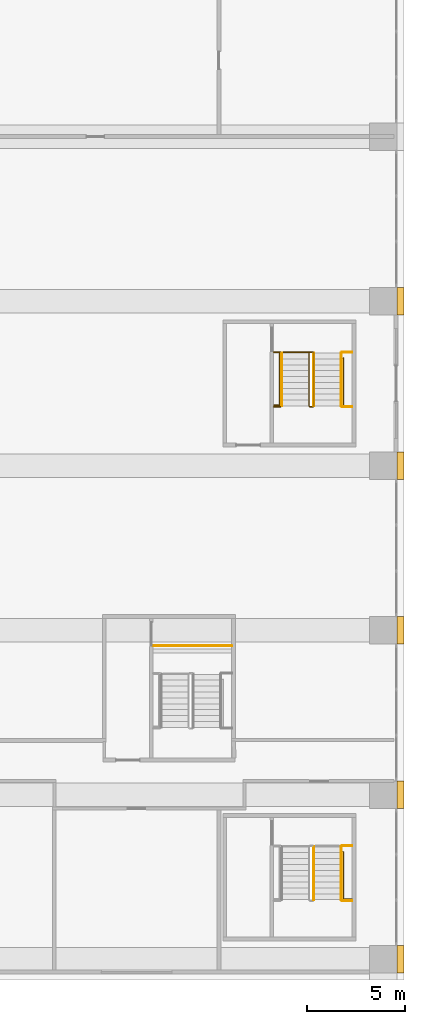
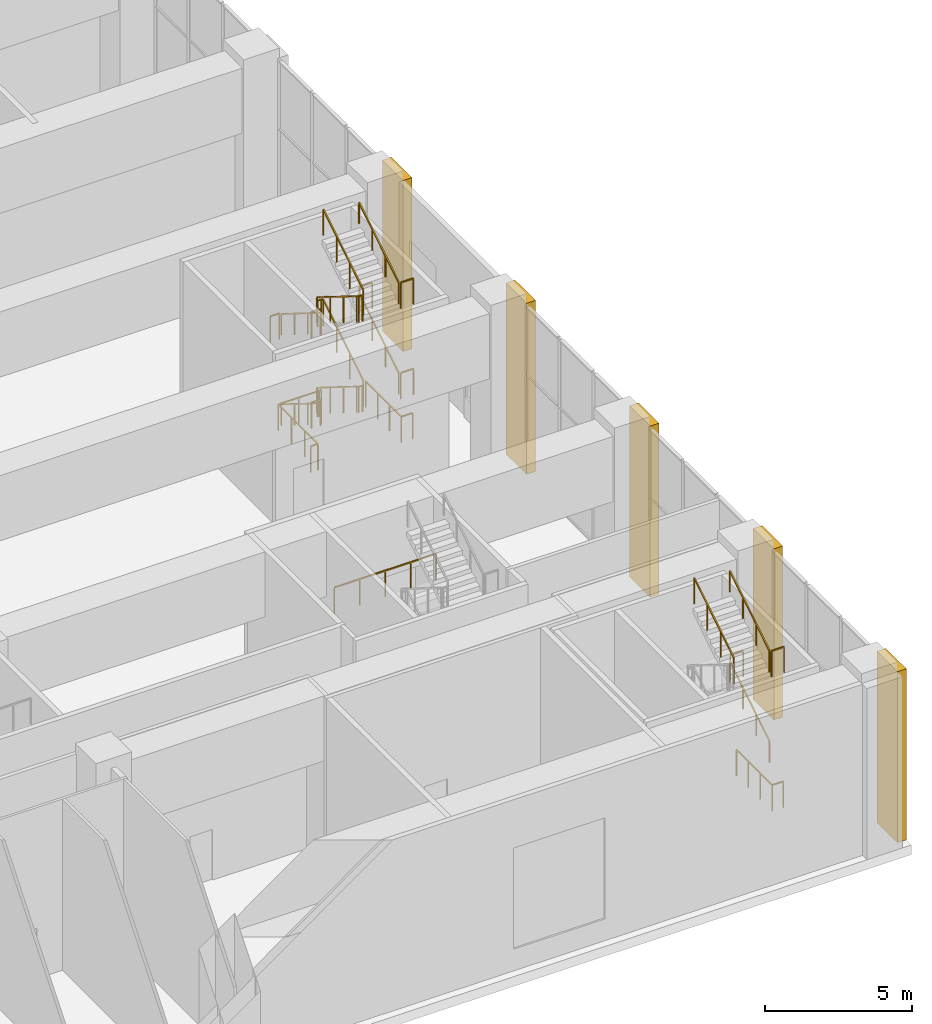
# One storey, part 27 of 29: 24 railings, 5 coverings.
"""IFC4 building model written with IfcOpenShell, lengths in metres."""

from ifc_helpers import new_model, si_unit, direction, frame, origin, origin_2d, place, context, subcontext, project, spatial, polyline, rectangle, outline, extrude, material, type_object, element, save


model = new_model("IFC4")

# Units and contexts
model_context = context("Model", 3, precision=1e-05, world=origin(), true_north=direction((0.0, 1.0)))
body_context = subcontext(model_context, "Body", "Model", "MODEL_VIEW")
ifc_project = project(units=[si_unit("LENGTHUNIT", "METRE"), si_unit("AREAUNIT", "SQUARE_METRE"), si_unit("VOLUMEUNIT", "CUBIC_METRE"), si_unit("PLANEANGLEUNIT", "RADIAN"), si_unit("MASSUNIT", "GRAM", prefix="KILO")], contexts=[model_context])

# Site, building, storey
site_placement = place(None, origin())
site = spatial("IfcSite", under=ifc_project, at=site_placement, CompositionType="ELEMENT")
building_placement = place(site_placement, origin())
building = spatial("IfcBuilding", under=site, at=building_placement, Name="Vermilion Ogive Tower", CompositionType="ELEMENT")
storey_placement = place(building_placement, frame((0.0, 0.0, 12.5)))
storey = spatial("IfcBuildingStorey", under=building, at=storey_placement, Name="L02", CompositionType="ELEMENT", Elevation=12.5)

# Railings
ifc_material_1 = material(Name="Steel S355 painted", Category="steel")
railing_type_1 = type_object("IfcRailingType", Name="Stair guard 1100", PredefinedType="GUARDRAIL", material=ifc_material_1)
railing_1_placement = place(storey_placement, frame((46.60009765625, 1.550048828125, 0.1875)))
element("IfcRailing", 1, at=railing_1_placement, inside=storey, type_object=railing_type_1, Name="L02 PEC stair guard 1", PredefinedType="GUARDRAIL", context=body_context, shape_type="SweptSolid", body=[
    extrude(rectangle(XDim=0.048095703125, YDim=0.048095703125, at=origin_2d()), frame((0.0, 0.0, 1.076171875), z_axis=(0.0, -0.847993996163, 0.530005832488), x_axis=(1.0, 0.0, 0.0)), (0.0, 0.0, 1.0), 3.183837890625),
    extrude(rectangle(XDim=0.048095703125, YDim=0.048095703125, at=origin_2d()), frame((0.0, -2.699951171875, 2.763671875), z_axis=(0.705375805398, -0.708833529934, 0.0), x_axis=(0.708833529934, 0.705375805398, 0.0)), (0.0, 0.0, 1.0), 0.070556640625),
    extrude(rectangle(XDim=0.048095703125, YDim=0.048095703125, at=origin_2d()), frame((0.0498046875, -2.75, 2.763671875), z_axis=(1.0, 0.0, 0.0), x_axis=(0.0, 1.0, 0.0)), (0.0, 0.0, 1.0), 0.150146484375),
    extrude(rectangle(XDim=0.0419921875, YDim=0.0419921875, at=origin_2d()), origin(), (0.0, 0.0, 1.0), 1.052001953125),
    extrude(rectangle(XDim=0.0419921875, YDim=0.0419921875, at=origin_2d()), frame((0.0, -0.89990234375, 0.5625)), (0.0, 0.0, 1.0), 1.052001953125),
    extrude(rectangle(XDim=0.0419921875, YDim=0.0419921875, at=origin_2d()), frame((0.0, -1.800048828125, 1.125)), (0.0, 0.0, 1.0), 1.052001953125),
    extrude(rectangle(XDim=0.0419921875, YDim=0.0419921875, at=origin_2d()), frame((0.0, -2.699951171875, 1.6875)), (0.0, 0.0, 1.0), 1.052001953125),
    extrude(rectangle(XDim=0.0419921875, YDim=0.0419921875, at=origin_2d()), frame((0.0498046875, -2.75, 1.6875)), (0.0, 0.0, 1.0), 1.052001953125),
    extrude(rectangle(XDim=0.0419921875, YDim=0.0419921875, at=origin_2d()), frame((0.199951171875, -2.75, 1.6875)), (0.0, 0.0, 1.0), 1.052001953125),
])
railing_2_placement = place(storey_placement, frame((46.85009765625, -1.14990234375, 2.0625)))
element("IfcRailing", 2, at=railing_2_placement, inside=storey, type_object=railing_type_1, Name="L02 PEC stair guard 3", PredefinedType="GUARDRAIL", context=body_context, shape_type="SweptSolid", body=[
    extrude(rectangle(XDim=0.048095703125, YDim=0.048095703125, at=origin_2d()), frame((0.0, 0.0, 1.076171875), z_axis=(0.0, 0.847993996163, 0.530005832488), x_axis=(-1.0, 0.0, 0.0)), (0.0, 0.0, 1.0), 3.183837890625),
    extrude(rectangle(XDim=0.048095703125, YDim=0.048095703125, at=origin_2d()), frame((0.0, 2.699951171875, 2.763671875), z_axis=(-0.707106781187, 0.707106781187, 0.0), x_axis=(-0.707106781187, -0.707106781187, 0.0)), (0.0, 0.0, 1.0), 0.07080078125),
    extrude(rectangle(XDim=0.048095703125, YDim=0.048095703125, at=origin_2d()), frame((-0.050048828125, 2.75, 2.763671875), z_axis=(-1.0, 0.0, 0.0), x_axis=(0.0, -1.0, 0.0)), (0.0, 0.0, 1.0), 0.150146484375),
    extrude(rectangle(XDim=0.0419921875, YDim=0.0419921875, at=origin_2d()), origin(), (0.0, 0.0, 1.0), 1.052001953125),
    extrude(rectangle(XDim=0.0419921875, YDim=0.0419921875, at=origin_2d()), frame((0.0, 0.89990234375, 0.5625)), (0.0, 0.0, 1.0), 1.052001953125),
    extrude(rectangle(XDim=0.0419921875, YDim=0.0419921875, at=origin_2d()), frame((0.0, 1.800048828125, 1.125)), (0.0, 0.0, 1.0), 1.052001953125),
    extrude(rectangle(XDim=0.0419921875, YDim=0.0419921875, at=origin_2d()), frame((0.0, 2.699951171875, 1.6875)), (0.0, 0.0, 1.0), 1.052001953125),
    extrude(rectangle(XDim=0.0419921875, YDim=0.0419921875, at=origin_2d()), frame((-0.050048828125, 2.75, 1.6875)), (0.0, 0.0, 1.0), 1.052001953125),
    extrude(rectangle(XDim=0.0419921875, YDim=0.0419921875, at=origin_2d()), frame((-0.2001953125, 2.75, 1.6875)), (0.0, 0.0, 1.0), 1.052001953125),
])
railing_3_placement = place(storey_placement, frame((46.60009765625, 1.550048828125, 3.9375)))
element("IfcRailing", 3, at=railing_3_placement, inside=storey, type_object=railing_type_1, Name="L02 PEC stair guard 5", PredefinedType="GUARDRAIL", context=body_context, shape_type="SweptSolid", body=[
    extrude(rectangle(XDim=0.048095703125, YDim=0.048095703125, at=origin_2d()), frame((0.0, 0.0, 1.076171875), z_axis=(0.0, -0.847993996163, 0.530005832488), x_axis=(1.0, 0.0, 0.0)), (0.0, 0.0, 1.0), 3.183837890625),
    extrude(rectangle(XDim=0.048095703125, YDim=0.048095703125, at=origin_2d()), frame((0.0, -2.699951171875, 2.763671875), z_axis=(0.705375805398, -0.708833529934, 0.0), x_axis=(0.708833529934, 0.705375805398, 0.0)), (0.0, 0.0, 1.0), 0.070556640625),
    extrude(rectangle(XDim=0.048095703125, YDim=0.048095703125, at=origin_2d()), frame((0.0498046875, -2.75, 2.763671875), z_axis=(1.0, 0.0, 0.0), x_axis=(0.0, 1.0, 0.0)), (0.0, 0.0, 1.0), 0.150146484375),
    extrude(rectangle(XDim=0.0419921875, YDim=0.0419921875, at=origin_2d()), origin(), (0.0, 0.0, 1.0), 1.052001953125),
    extrude(rectangle(XDim=0.0419921875, YDim=0.0419921875, at=origin_2d()), frame((0.0, -0.89990234375, 0.5625)), (0.0, 0.0, 1.0), 1.052001953125),
    extrude(rectangle(XDim=0.0419921875, YDim=0.0419921875, at=origin_2d()), frame((0.0, -1.800048828125, 1.125)), (0.0, 0.0, 1.0), 1.052001953125),
    extrude(rectangle(XDim=0.0419921875, YDim=0.0419921875, at=origin_2d()), frame((0.0, -2.699951171875, 1.6875)), (0.0, 0.0, 1.0), 1.052001953125),
    extrude(rectangle(XDim=0.0419921875, YDim=0.0419921875, at=origin_2d()), frame((0.0498046875, -2.75, 1.6875)), (0.0, 0.0, 1.0), 1.052001953125),
    extrude(rectangle(XDim=0.0419921875, YDim=0.0419921875, at=origin_2d()), frame((0.199951171875, -2.75, 1.6875)), (0.0, 0.0, 1.0), 1.052001953125),
])
railing_4_placement = place(storey_placement, frame((46.85009765625, -1.14990234375, 5.8125)))
element("IfcRailing", 4, at=railing_4_placement, inside=storey, type_object=railing_type_1, Name="L02 PEC stair guard 7", PredefinedType="GUARDRAIL", context=body_context, shape_type="SweptSolid", body=[
    extrude(rectangle(XDim=0.048095703125, YDim=0.048095703125, at=origin_2d()), frame((0.0, 0.0, 1.076171875), z_axis=(0.0, 0.847993996163, 0.530005832488), x_axis=(-1.0, 0.0, 0.0)), (0.0, 0.0, 1.0), 3.183837890625),
    extrude(rectangle(XDim=0.0419921875, YDim=0.0419921875, at=origin_2d()), origin(), (0.0, 0.0, 1.0), 1.052001953125),
    extrude(rectangle(XDim=0.0419921875, YDim=0.0419921875, at=origin_2d()), frame((0.0, 0.89990234375, 0.5625)), (0.0, 0.0, 1.0), 1.052001953125),
    extrude(rectangle(XDim=0.0419921875, YDim=0.0419921875, at=origin_2d()), frame((0.0, 1.800048828125, 1.125)), (0.0, 0.0, 1.0), 1.052001953125),
    extrude(rectangle(XDim=0.0419921875, YDim=0.0419921875, at=origin_2d()), frame((0.0, 2.699951171875, 1.6875)), (0.0, 0.0, 1.0), 1.052001953125),
])
railing_5_placement = place(storey_placement, frame((46.64990234375, 1.60009765625, 0.0)))
element("IfcRailing", 5, at=railing_5_placement, inside=storey, type_object=railing_type_1, Name="L02 PEC stair guard 8", PredefinedType="GUARDRAIL", context=body_context, shape_type="SweptSolid", body=[
    extrude(rectangle(XDim=0.048095703125, YDim=0.048095703125, at=origin_2d()), frame((0.0, 0.0, 1.076171875), z_axis=(1.0, 0.0, 0.0), x_axis=(0.0, 1.0, 0.0)), (0.0, 0.0, 1.0), 0.150146484375),
    extrude(rectangle(XDim=0.0419921875, YDim=0.0419921875, at=origin_2d()), origin(), (0.0, 0.0, 1.0), 1.052001953125),
    extrude(rectangle(XDim=0.0419921875, YDim=0.0419921875, at=origin_2d()), frame((0.150146484375, 0.0, 0.0)), (0.0, 0.0, 1.0), 1.052001953125),
])
railing_6_placement = place(storey_placement, frame((46.85009765625, -26.35009765625, 5.8125)))
element("IfcRailing", 6, at=railing_6_placement, inside=storey, type_object=railing_type_1, Name="L02 PES stair guard 7", PredefinedType="GUARDRAIL", context=body_context, shape_type="SweptSolid", body=[
    extrude(rectangle(XDim=0.048095703125, YDim=0.048095703125, at=origin_2d()), frame((0.0, 0.0, 1.076171875), z_axis=(0.0, 0.848015533692, 0.529971371508), x_axis=(-1.0, 0.0, 0.0)), (0.0, 0.0, 1.0), 3.18408203125),
    extrude(rectangle(XDim=0.0419921875, YDim=0.0419921875, at=origin_2d()), origin(), (0.0, 0.0, 1.0), 1.052001953125),
    extrude(rectangle(XDim=0.0419921875, YDim=0.0419921875, at=origin_2d()), frame((0.0, 0.900146484375, 0.5625)), (0.0, 0.0, 1.0), 1.052001953125),
    extrude(rectangle(XDim=0.0419921875, YDim=0.0419921875, at=origin_2d()), frame((0.0, 1.800048828125, 1.125)), (0.0, 0.0, 1.0), 1.052001953125),
    extrude(rectangle(XDim=0.0419921875, YDim=0.0419921875, at=origin_2d()), frame((0.0, 2.7001953125, 1.6875)), (0.0, 0.0, 1.0), 1.052001953125),
])
railing_7_placement = place(storey_placement, frame((38.650146484375, -13.39990234375, 3.75)))
element("IfcRailing", 7, at=railing_7_placement, inside=storey, type_object=railing_type_1, Name="L02 landing guard", PredefinedType="GUARDRAIL", context=body_context, shape_type="SweptSolid", body=[
    extrude(rectangle(XDim=0.048095703125, YDim=0.048095703125, at=origin_2d()), frame((0.0, 0.0, 1.076171875), z_axis=(1.0, 0.0, 0.0), x_axis=(0.0, 1.0, 0.0)), (0.0, 0.0, 1.0), 3.999755859375),
    extrude(rectangle(XDim=0.0419921875, YDim=0.0419921875, at=origin_2d()), origin(), (0.0, 0.0, 1.0), 1.052001953125),
    extrude(rectangle(XDim=0.0419921875, YDim=0.0419921875, at=origin_2d()), frame((1.0, 0.0, 0.0)), (0.0, 0.0, 1.0), 1.052001953125),
    extrude(rectangle(XDim=0.0419921875, YDim=0.0419921875, at=origin_2d()), frame((2.0, 0.0, 0.0)), (0.0, 0.0, 1.0), 1.052001953125),
    extrude(rectangle(XDim=0.0419921875, YDim=0.0419921875, at=origin_2d()), frame((2.999755859375, 0.0, 0.0)), (0.0, 0.0, 1.0), 1.052001953125),
    extrude(rectangle(XDim=0.0419921875, YDim=0.0419921875, at=origin_2d()), frame((3.999755859375, 0.0, 0.0)), (0.0, 0.0, 1.0), 1.052001953125),
])
railing_8_placement = place(storey_placement, frame((44.800048828125, -1.199951171875, 1.875)))
element("IfcRailing", 8, at=railing_8_placement, inside=storey, type_object=railing_type_1, Name="L02 landing guard", PredefinedType="GUARDRAIL", context=body_context, shape_type="SweptSolid", body=[
    extrude(rectangle(XDim=0.048095703125, YDim=0.048095703125, at=origin_2d()), frame((0.0, 0.0, 1.076171875), z_axis=(1.0, 0.0, 0.0), x_axis=(0.0, 1.0, 0.0)), (0.0, 0.0, 1.0), 0.349853515625),
    extrude(rectangle(XDim=0.0419921875, YDim=0.0419921875, at=origin_2d()), origin(), (0.0, 0.0, 1.0), 1.052001953125),
    extrude(rectangle(XDim=0.0419921875, YDim=0.0419921875, at=origin_2d()), frame((0.349853515625, 0.0, 0.0)), (0.0, 0.0, 1.0), 1.052001953125),
])
railing_9_placement = place(storey_placement, frame((48.300048828125, -1.199951171875, 1.875)))
element("IfcRailing", 9, at=railing_9_placement, inside=storey, type_object=railing_type_1, Name="L02 landing guard", PredefinedType="GUARDRAIL", context=body_context, shape_type="SweptSolid", body=[
    extrude(rectangle(XDim=0.048095703125, YDim=0.048095703125, at=origin_2d()), frame((0.0, 0.0, 1.076171875), z_axis=(1.0, 0.0, 0.0), x_axis=(0.0, 1.0, 0.0)), (0.0, 0.0, 1.0), 0.499755859375),
    extrude(rectangle(XDim=0.0419921875, YDim=0.0419921875, at=origin_2d()), origin(), (0.0, 0.0, 1.0), 1.052001953125),
    extrude(rectangle(XDim=0.0419921875, YDim=0.0419921875, at=origin_2d()), frame((0.499755859375, 0.0, 0.0)), (0.0, 0.0, 1.0), 1.052001953125),
])
railing_10_placement = place(storey_placement, frame((44.800048828125, 1.60009765625, 3.75)))
element("IfcRailing", 10, at=railing_10_placement, inside=storey, type_object=railing_type_1, Name="L02 landing guard", PredefinedType="GUARDRAIL", context=body_context, shape_type="SweptSolid", body=[
    extrude(rectangle(XDim=0.048095703125, YDim=0.048095703125, at=origin_2d()), frame((0.0, 0.0, 1.076171875), z_axis=(1.0, 0.0, 0.0), x_axis=(0.0, 1.0, 0.0)), (0.0, 0.0, 1.0), 0.349853515625),
    extrude(rectangle(XDim=0.0419921875, YDim=0.0419921875, at=origin_2d()), origin(), (0.0, 0.0, 1.0), 1.052001953125),
    extrude(rectangle(XDim=0.0419921875, YDim=0.0419921875, at=origin_2d()), frame((0.349853515625, 0.0, 0.0)), (0.0, 0.0, 1.0), 1.052001953125),
])
railing_11_placement = place(storey_placement, frame((48.300048828125, 1.60009765625, 3.75)))
element("IfcRailing", 11, at=railing_11_placement, inside=storey, type_object=railing_type_1, Name="L02 landing guard", PredefinedType="GUARDRAIL", context=body_context, shape_type="SweptSolid", body=[
    extrude(rectangle(XDim=0.048095703125, YDim=0.048095703125, at=origin_2d()), frame((0.0, 0.0, 1.076171875), z_axis=(1.0, 0.0, 0.0), x_axis=(0.0, 1.0, 0.0)), (0.0, 0.0, 1.0), 0.499755859375),
    extrude(rectangle(XDim=0.0419921875, YDim=0.0419921875, at=origin_2d()), origin(), (0.0, 0.0, 1.0), 1.052001953125),
    extrude(rectangle(XDim=0.0419921875, YDim=0.0419921875, at=origin_2d()), frame((0.499755859375, 0.0, 0.0)), (0.0, 0.0, 1.0), 1.052001953125),
])
railing_12_placement = place(storey_placement, frame((44.800048828125, -1.199951171875, 5.625)))
element("IfcRailing", 12, at=railing_12_placement, inside=storey, type_object=railing_type_1, Name="L02 landing guard", PredefinedType="GUARDRAIL", context=body_context, shape_type="SweptSolid", body=[
    extrude(rectangle(XDim=0.048095703125, YDim=0.048095703125, at=origin_2d()), frame((0.0, 0.0, 1.076171875), z_axis=(1.0, 0.0, 0.0), x_axis=(0.0, 1.0, 0.0)), (0.0, 0.0, 1.0), 0.349853515625),
    extrude(rectangle(XDim=0.0419921875, YDim=0.0419921875, at=origin_2d()), origin(), (0.0, 0.0, 1.0), 1.052001953125),
    extrude(rectangle(XDim=0.0419921875, YDim=0.0419921875, at=origin_2d()), frame((0.349853515625, 0.0, 0.0)), (0.0, 0.0, 1.0), 1.052001953125),
])
for number, where, name in (
    (13, (48.300048828125, -1.199951171875, 5.625), "L02 landing guard"),
    (14, (48.300048828125, -23.60009765625, 3.75), "L02 landing guard"),
    (15, (48.300048828125, -26.39990234375, 5.625), "L02 landing guard"),
):
    element("IfcRailing", number, at=place(storey_placement, frame(where)), inside=storey, type_object=railing_type_1, Name=name, PredefinedType="GUARDRAIL", context=body_context, shape_type="SweptSolid", body=[
        extrude(rectangle(XDim=0.048095703125, YDim=0.048095703125, at=origin_2d()), frame((0.0, 0.0, 1.076171875), z_axis=(1.0, 0.0, 0.0), x_axis=(0.0, 1.0, 0.0)), (0.0, 0.0, 1.0), 0.499755859375),
        extrude(rectangle(XDim=0.0419921875, YDim=0.0419921875, at=origin_2d()), origin(), (0.0, 0.0, 1.0), 1.052001953125),
        extrude(rectangle(XDim=0.0419921875, YDim=0.0419921875, at=origin_2d()), frame((0.499755859375, 0.0, 0.0)), (0.0, 0.0, 1.0), 1.052001953125),
    ])
railing_13_placement = place(storey_placement, frame((44.810791015625, -1.115478515625, 0.0)))
element("IfcRailing", 16, at=railing_13_placement, inside=storey, type_object=railing_type_1, Name="L02 stair opening guard", PredefinedType="GUARDRAIL", context=body_context, shape_type="SweptSolid", body=[
    extrude(rectangle(XDim=0.048095703125, YDim=0.048095703125, at=origin_2d()), frame((0.0, 0.0, 1.076171875), z_axis=(1.0, 0.0, 0.0), x_axis=(0.0, 1.0, 0.0)), (0.0, 0.0, 1.0), 0.289794921875),
    extrude(rectangle(XDim=0.048095703125, YDim=0.048095703125, at=origin_2d()), frame((0.289794921875, 0.0, 1.076171875), z_axis=(0.0, 1.0, 0.0), x_axis=(-1.0, 0.0, 0.0)), (0.0, 0.0, 1.0), 2.699951171875),
    extrude(rectangle(XDim=0.048095703125, YDim=0.048095703125, at=origin_2d()), frame((0.289794921875, 2.699951171875, 1.076171875), z_axis=(1.0, 0.0, 0.0), x_axis=(0.0, 1.0, 0.0)), (0.0, 0.0, 1.0), 1.60009765625),
    extrude(rectangle(XDim=0.0419921875, YDim=0.0419921875, at=origin_2d()), origin(), (0.0, 0.0, 1.0), 1.052001953125),
    extrude(rectangle(XDim=0.0419921875, YDim=0.0419921875, at=origin_2d()), frame((0.289794921875, 0.0, 0.0)), (0.0, 0.0, 1.0), 1.052001953125),
    extrude(rectangle(XDim=0.0419921875, YDim=0.0419921875, at=origin_2d()), frame((0.289794921875, 0.89990234375, 0.0)), (0.0, 0.0, 1.0), 1.052001953125),
    extrude(rectangle(XDim=0.0419921875, YDim=0.0419921875, at=origin_2d()), frame((0.289794921875, 1.800048828125, 0.0)), (0.0, 0.0, 1.0), 1.052001953125),
    extrude(rectangle(XDim=0.0419921875, YDim=0.0419921875, at=origin_2d()), frame((0.289794921875, 2.699951171875, 0.0)), (0.0, 0.0, 1.0), 1.052001953125),
    extrude(rectangle(XDim=0.0419921875, YDim=0.0419921875, at=origin_2d()), frame((1.08984375, 2.699951171875, 0.0)), (0.0, 0.0, 1.0), 1.052001953125),
    extrude(rectangle(XDim=0.0419921875, YDim=0.0419921875, at=origin_2d()), frame((1.889892578125, 2.699951171875, 0.0)), (0.0, 0.0, 1.0), 1.052001953125),
])
for number, where, name in (
    (17, (48.359130859375, 1.28515625, 0.0), "L02 stair opening guard"),
    (18, (48.359130859375, -23.914794921875, 0.0), "L02 stair opening guard"),
):
    element("IfcRailing", number, at=place(storey_placement, frame(where)), inside=storey, type_object=railing_type_1, Name=name, PredefinedType="GUARDRAIL", context=body_context, shape_type="SweptSolid", body=[
        extrude(rectangle(XDim=0.048095703125, YDim=0.048095703125, at=origin_2d()), frame((0.0, 0.0, 1.076171875), z_axis=(0.0, -1.0, 0.0), x_axis=(1.0, 0.0, 0.0)), (0.0, 0.0, 1.0), 2.424560546875),
        extrude(rectangle(XDim=0.048095703125, YDim=0.048095703125, at=origin_2d()), frame((0.0, -2.424560546875, 1.076171875), z_axis=(1.0, 0.0, 0.0), x_axis=(0.0, 1.0, 0.0)), (0.0, 0.0, 1.0), 0.439697265625),
        extrude(rectangle(XDim=0.0419921875, YDim=0.0419921875, at=origin_2d()), origin(), (0.0, 0.0, 1.0), 1.052001953125),
        extrude(rectangle(XDim=0.0419921875, YDim=0.0419921875, at=origin_2d()), frame((0.0, -0.80810546875, 0.0)), (0.0, 0.0, 1.0), 1.052001953125),
        extrude(rectangle(XDim=0.0419921875, YDim=0.0419921875, at=origin_2d()), frame((0.0, -1.616455078125, 0.0)), (0.0, 0.0, 1.0), 1.052001953125),
        extrude(rectangle(XDim=0.0419921875, YDim=0.0419921875, at=origin_2d()), frame((0.0, -2.424560546875, 0.0)), (0.0, 0.0, 1.0), 1.052001953125),
        extrude(rectangle(XDim=0.0419921875, YDim=0.0419921875, at=origin_2d()), frame((0.439697265625, -2.424560546875, 0.0)), (0.0, 0.0, 1.0), 1.052001953125),
    ])
ifc_material_2 = material(Name="Stainless steel", Category="steel")
railing_type_2 = type_object("IfcRailingType", Name="Stair handrail 900", PredefinedType="HANDRAIL", material=ifc_material_2)
railing_14_placement = place(storey_placement, frame((45.199951171875, 1.550048828125, 0.1875)))
element("IfcRailing", 19, at=railing_14_placement, inside=storey, type_object=railing_type_2, Name="L02 PEC stair handrail 1", PredefinedType="HANDRAIL", context=body_context, shape_type="SweptSolid", body=[
    extrude(rectangle(XDim=0.048095703125, YDim=0.048095703125, at=origin_2d()), frame((0.0, 0.0, 0.8759765625), z_axis=(0.0, -0.847993996163, 0.530005832488), x_axis=(1.0, 0.0, 0.0)), (0.0, 0.0, 1.0), 3.183837890625),
    extrude(rectangle(XDim=0.0419921875, YDim=0.0419921875, at=origin_2d()), origin(), (0.0, 0.0, 1.0), 0.851806640625),
    extrude(rectangle(XDim=0.0419921875, YDim=0.0419921875, at=origin_2d()), frame((0.0, -0.89990234375, 0.5625)), (0.0, 0.0, 1.0), 0.851806640625),
    extrude(rectangle(XDim=0.0419921875, YDim=0.0419921875, at=origin_2d()), frame((0.0, -1.800048828125, 1.125)), (0.0, 0.0, 1.0), 0.851806640625),
    extrude(rectangle(XDim=0.0419921875, YDim=0.0419921875, at=origin_2d()), frame((0.0, -2.699951171875, 1.6875)), (0.0, 0.0, 1.0), 0.851806640625),
])
railing_15_placement = place(storey_placement, frame((48.25, -1.14990234375, 2.0625)))
element("IfcRailing", 20, at=railing_15_placement, inside=storey, type_object=railing_type_2, Name="L02 PEC stair handrail 2", PredefinedType="HANDRAIL", context=body_context, shape_type="SweptSolid", body=[
    extrude(rectangle(XDim=0.048095703125, YDim=0.048095703125, at=origin_2d()), frame((0.0, 0.0, 0.8759765625), z_axis=(0.0, 0.847993996163, 0.530005832488), x_axis=(-1.0, 0.0, 0.0)), (0.0, 0.0, 1.0), 3.183837890625),
    extrude(rectangle(XDim=0.0419921875, YDim=0.0419921875, at=origin_2d()), origin(), (0.0, 0.0, 1.0), 0.851806640625),
    extrude(rectangle(XDim=0.0419921875, YDim=0.0419921875, at=origin_2d()), frame((0.0, 0.89990234375, 0.5625)), (0.0, 0.0, 1.0), 0.851806640625),
    extrude(rectangle(XDim=0.0419921875, YDim=0.0419921875, at=origin_2d()), frame((0.0, 1.800048828125, 1.125)), (0.0, 0.0, 1.0), 0.851806640625),
    extrude(rectangle(XDim=0.0419921875, YDim=0.0419921875, at=origin_2d()), frame((0.0, 2.699951171875, 1.6875)), (0.0, 0.0, 1.0), 0.851806640625),
])
railing_16_placement = place(storey_placement, frame((45.199951171875, 1.550048828125, 3.9375)))
element("IfcRailing", 21, at=railing_16_placement, inside=storey, type_object=railing_type_2, Name="L02 PEC stair handrail 3", PredefinedType="HANDRAIL", context=body_context, shape_type="SweptSolid", body=[
    extrude(rectangle(XDim=0.048095703125, YDim=0.048095703125, at=origin_2d()), frame((0.0, 0.0, 0.8759765625), z_axis=(0.0, -0.847993996163, 0.530005832488), x_axis=(1.0, 0.0, 0.0)), (0.0, 0.0, 1.0), 3.183837890625),
    extrude(rectangle(XDim=0.0419921875, YDim=0.0419921875, at=origin_2d()), origin(), (0.0, 0.0, 1.0), 0.851806640625),
    extrude(rectangle(XDim=0.0419921875, YDim=0.0419921875, at=origin_2d()), frame((0.0, -0.89990234375, 0.5625)), (0.0, 0.0, 1.0), 0.851806640625),
    extrude(rectangle(XDim=0.0419921875, YDim=0.0419921875, at=origin_2d()), frame((0.0, -1.800048828125, 1.125)), (0.0, 0.0, 1.0), 0.851806640625),
    extrude(rectangle(XDim=0.0419921875, YDim=0.0419921875, at=origin_2d()), frame((0.0, -2.699951171875, 1.6875)), (0.0, 0.0, 1.0), 0.851806640625),
])
railing_17_placement = place(storey_placement, frame((48.25, -1.14990234375, 5.8125)))
element("IfcRailing", 22, at=railing_17_placement, inside=storey, type_object=railing_type_2, Name="L02 PEC stair handrail 4", PredefinedType="HANDRAIL", context=body_context, shape_type="SweptSolid", body=[
    extrude(rectangle(XDim=0.048095703125, YDim=0.048095703125, at=origin_2d()), frame((0.0, 0.0, 0.8759765625), z_axis=(0.0, 0.847993996163, 0.530005832488), x_axis=(-1.0, 0.0, 0.0)), (0.0, 0.0, 1.0), 3.183837890625),
    extrude(rectangle(XDim=0.0419921875, YDim=0.0419921875, at=origin_2d()), origin(), (0.0, 0.0, 1.0), 0.851806640625),
    extrude(rectangle(XDim=0.0419921875, YDim=0.0419921875, at=origin_2d()), frame((0.0, 0.89990234375, 0.5625)), (0.0, 0.0, 1.0), 0.851806640625),
    extrude(rectangle(XDim=0.0419921875, YDim=0.0419921875, at=origin_2d()), frame((0.0, 1.800048828125, 1.125)), (0.0, 0.0, 1.0), 0.851806640625),
    extrude(rectangle(XDim=0.0419921875, YDim=0.0419921875, at=origin_2d()), frame((0.0, 2.699951171875, 1.6875)), (0.0, 0.0, 1.0), 0.851806640625),
])
for number, where, name in (
    (23, (48.25, -26.35009765625, 2.0625), "L02 PES stair handrail 2"),
    (24, (48.25, -26.35009765625, 5.8125), "L02 PES stair handrail 4"),
):
    element("IfcRailing", number, at=place(storey_placement, frame(where)), inside=storey, type_object=railing_type_2, Name=name, PredefinedType="HANDRAIL", context=body_context, shape_type="SweptSolid", body=[
        extrude(rectangle(XDim=0.048095703125, YDim=0.048095703125, at=origin_2d()), frame((0.0, 0.0, 0.8759765625), z_axis=(0.0, 0.848015533692, 0.529971371508), x_axis=(-1.0, 0.0, 0.0)), (0.0, 0.0, 1.0), 3.18408203125),
        extrude(rectangle(XDim=0.0419921875, YDim=0.0419921875, at=origin_2d()), origin(), (0.0, 0.0, 1.0), 0.851806640625),
        extrude(rectangle(XDim=0.0419921875, YDim=0.0419921875, at=origin_2d()), frame((0.0, 0.900146484375, 0.5625)), (0.0, 0.0, 1.0), 0.851806640625),
        extrude(rectangle(XDim=0.0419921875, YDim=0.0419921875, at=origin_2d()), frame((0.0, 1.800048828125, 1.125)), (0.0, 0.0, 1.0), 0.851806640625),
        extrude(rectangle(XDim=0.0419921875, YDim=0.0419921875, at=origin_2d()), frame((0.0, 2.7001953125, 1.6875)), (0.0, 0.0, 1.0), 0.851806640625),
    ])

# Coverings
ifc_material_3 = material(Name="Stone cladding", Category="masonry")
covering_type = type_object("IfcCoveringType", Name="Stone pier", PredefinedType="CLADDING", material=ifc_material_3)
covering_1_placement = place(storey_placement, origin())
element("IfcCovering", 25, at=covering_1_placement, inside=storey, type_object=covering_type, Name="Stone pier P+504+042", PredefinedType="CLADDING", context=body_context, shape_type="SweptSolid", body=[
    extrude(outline(polyline([(51.10009765625, 4.89990234375), (51.449951171875, 4.89990234375), (51.449951171875, 3.5), (51.10009765625, 3.5), (51.10009765625, 4.89990234375), (51.10009765625, 4.89990234375)])), origin(), (0.0, 0.0, 1.0), 7.10009765625),
])
covering_2_placement = place(storey_placement, origin())
element("IfcCovering", 26, at=covering_2_placement, inside=storey, type_object=covering_type, Name="Stone pier P+504-042", PredefinedType="CLADDING", context=body_context, shape_type="SweptSolid", body=[
    extrude(outline(polyline([(51.449951171875, -3.5), (51.449951171875, -4.89990234375), (51.10009765625, -4.89990234375), (51.10009765625, -3.5), (51.449951171875, -3.5)])), origin(), (0.0, 0.0, 1.0), 7.10009765625),
])
covering_3_placement = place(storey_placement, origin())
element("IfcCovering", 27, at=covering_3_placement, inside=storey, type_object=covering_type, Name="Stone pier P+504-126", PredefinedType="CLADDING", context=body_context, shape_type="SweptSolid", body=[
    extrude(outline(polyline([(51.10009765625, -11.89990234375), (51.449951171875, -11.89990234375), (51.449951171875, -13.300048828125), (51.10009765625, -13.300048828125), (51.10009765625, -13.300048828125), (51.10009765625, -11.89990234375)])), origin(), (0.0, 0.0, 1.0), 7.10009765625),
])
covering_4_placement = place(storey_placement, origin())
element("IfcCovering", 28, at=covering_4_placement, inside=storey, type_object=covering_type, Name="Stone pier P+504-210", PredefinedType="CLADDING", context=body_context, shape_type="SweptSolid", body=[
    extrude(outline(polyline([(51.449951171875, -20.300048828125), (51.449951171875, -21.699951171875), (51.10009765625, -21.699951171875), (51.10009765625, -20.300048828125), (51.449951171875, -20.300048828125)])), origin(), (0.0, 0.0, 1.0), 7.10009765625),
])
covering_5_placement = place(storey_placement, origin())
element("IfcCovering", 29, at=covering_5_placement, inside=storey, type_object=covering_type, Name="Stone pier P+504-294E", PredefinedType="CLADDING", context=body_context, shape_type="SweptSolid", body=[
    extrude(outline(polyline([(51.449951171875, -30.10009765625), (51.10009765625, -30.10009765625), (51.10009765625, -28.699951171875), (51.449951171875, -28.699951171875), (51.449951171875, -30.10009765625)])), origin(), (0.0, 0.0, 1.0), 7.10009765625),
])

save(model, "model.ifc")
